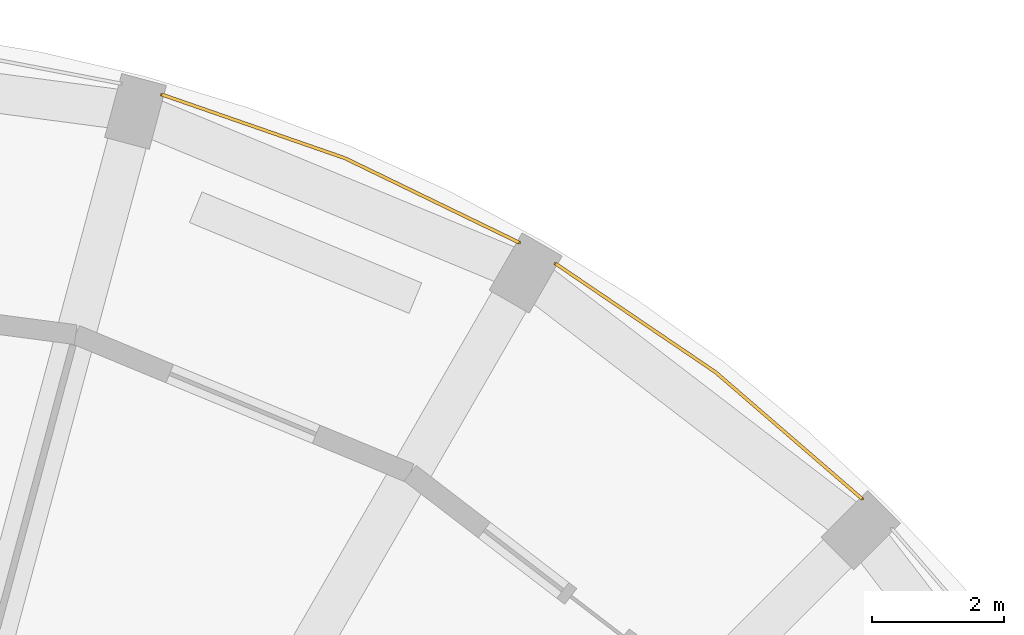
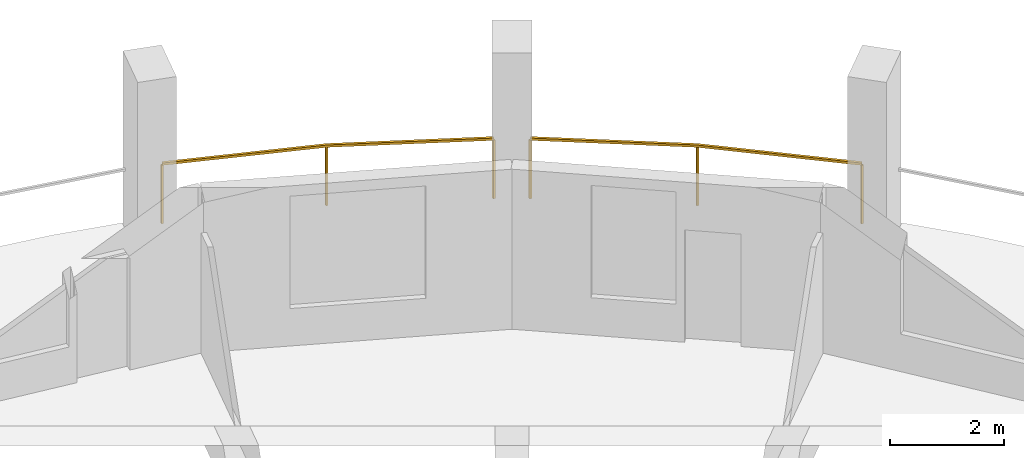
# One storey, part 8 of 8: 2 railings.
"""IFC4 building model written with IfcOpenShell, lengths in metres."""

from ifc_helpers import new_model, si_unit, direction, frame, origin, origin_2d, place, context, subcontext, project, spatial, rectangle, extrude, material, type_object, element, save


model = new_model("IFC4")

# Units and contexts
model_context = context("Model", 3, precision=1e-05, world=origin(), true_north=direction((0.0, 1.0)))
body_context = subcontext(model_context, "Body", "Model", "MODEL_VIEW")
ifc_project = project(units=[si_unit("LENGTHUNIT", "METRE"), si_unit("AREAUNIT", "SQUARE_METRE"), si_unit("VOLUMEUNIT", "CUBIC_METRE"), si_unit("PLANEANGLEUNIT", "RADIAN"), si_unit("MASSUNIT", "GRAM", prefix="KILO")], contexts=[model_context])

# Site, building, storey
site_placement = place(None, origin())
site = spatial("IfcSite", under=ifc_project, at=site_placement, CompositionType="ELEMENT")
building_placement = place(site_placement, origin())
building = spatial("IfcBuilding", under=site, at=building_placement, Name="Torre Triforio", CompositionType="ELEMENT")
storey_placement = place(building_placement, frame((0.0, 0.0, 261.199951171875)))
storey = spatial("IfcBuildingStorey", under=building, at=storey_placement, Name="L60", CompositionType="ELEMENT", Elevation=261.199951171875)

# Railings
ifc_material = material(Name="Stainless steel AISI 316", Category="steel")
railing_type = type_object("IfcRailingType", Name="Loggia guard 1300", PredefinedType="GUARDRAIL", material=ifc_material)
railing_1_placement = place(storey_placement, frame((17.34521484375, 17.7978515625, 0.0)))
element("IfcRailing", 1, at=railing_1_placement, inside=storey, type_object=railing_type, Name="Loggia guard L60 bay 04", PredefinedType="GUARDRAIL", context=body_context, shape_type="SweptSolid", body=[
    extrude(rectangle(XDim=0.050048828125, YDim=0.050048828125, at=origin_2d()), frame((0.0, 0.0, 1.27490234375), z_axis=(-0.756510170049, 0.653981928353, 0.0), x_axis=(-0.653981928353, -0.756510170049, 0.0)), (0.0, 0.0, 1.0), 2.93115234375),
    extrude(rectangle(XDim=0.050048828125, YDim=0.050048828125, at=origin_2d()), frame((-2.217529296875, 1.9169921875, 1.27490234375), z_axis=(-0.827499269821, 0.561466791934, 0.0), x_axis=(-0.561466791934, -0.827499269821, 0.0)), (0.0, 0.0, 1.0), 2.93115234375),
    extrude(rectangle(XDim=0.0400390625, YDim=0.0400390625, at=origin_2d()), origin(), (0.0, 0.0, 1.0), 1.25),
    extrude(rectangle(XDim=0.0400390625, YDim=0.0400390625, at=origin_2d()), frame((-2.217529296875, 1.9169921875, 0.0)), (0.0, 0.0, 1.0), 1.25),
    extrude(rectangle(XDim=0.0400390625, YDim=0.0400390625, at=origin_2d()), frame((-4.64306640625, 3.562744140625, 0.0)), (0.0, 0.0, 1.0), 1.25),
])
railing_2_placement = place(storey_placement, frame((12.14794921875, 21.6806640625, 0.0)))
element("IfcRailing", 2, at=railing_2_placement, inside=storey, type_object=railing_type, Name="Loggia guard L60 bay 05", PredefinedType="GUARDRAIL", context=body_context, shape_type="SweptSolid", body=[
    extrude(rectangle(XDim=0.050048828125, YDim=0.050048828125, at=origin_2d()), frame((0.0, 0.0, 1.27490234375), z_axis=(-0.899986429279, 0.435917913275, 0.0), x_axis=(-0.435917913275, -0.899986429279, 0.0)), (0.0, 0.0, 1.0), 2.931396484375),
    extrude(rectangle(XDim=0.050048828125, YDim=0.050048828125, at=origin_2d()), frame((-2.63818359375, 1.27783203125, 1.27490234375), z_axis=(-0.944627058264, 0.328145883403, 0.0), x_axis=(-0.328145883403, -0.944627058264, 0.0)), (0.0, 0.0, 1.0), 2.931396484375),
    extrude(rectangle(XDim=0.0400390625, YDim=0.0400390625, at=origin_2d()), origin(), (0.0, 0.0, 1.0), 1.25),
    extrude(rectangle(XDim=0.0400390625, YDim=0.0400390625, at=origin_2d()), frame((-2.63818359375, 1.27783203125, 0.0)), (0.0, 0.0, 1.0), 1.25),
    extrude(rectangle(XDim=0.0400390625, YDim=0.0400390625, at=origin_2d()), frame((-5.4072265625, 2.23974609375, 0.0)), (0.0, 0.0, 1.0), 1.25),
])

save(model, "model.ifc")
